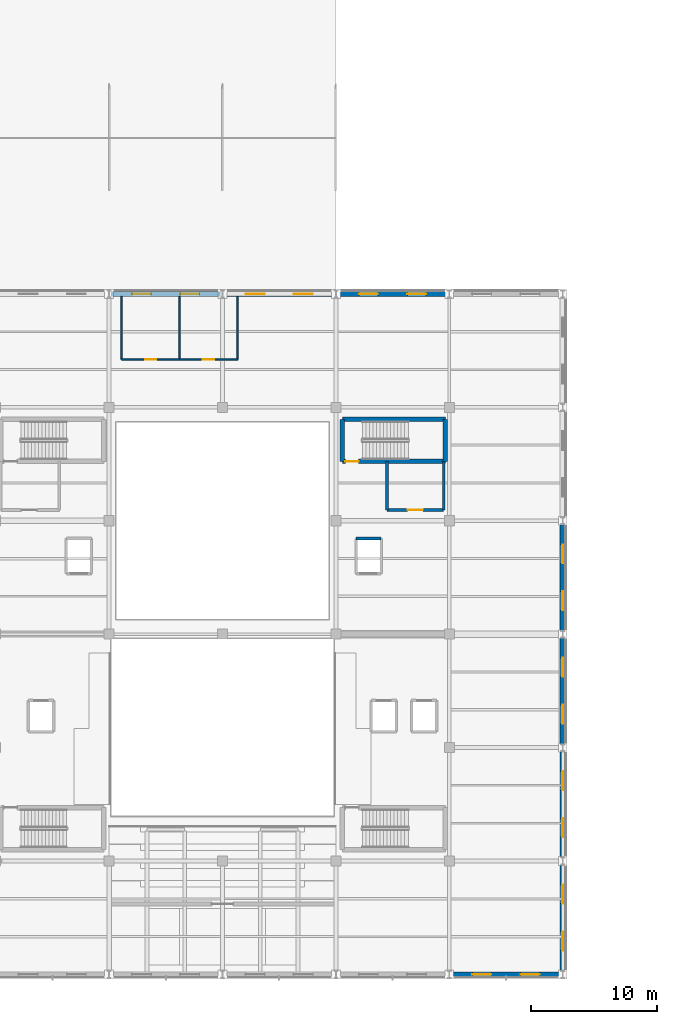
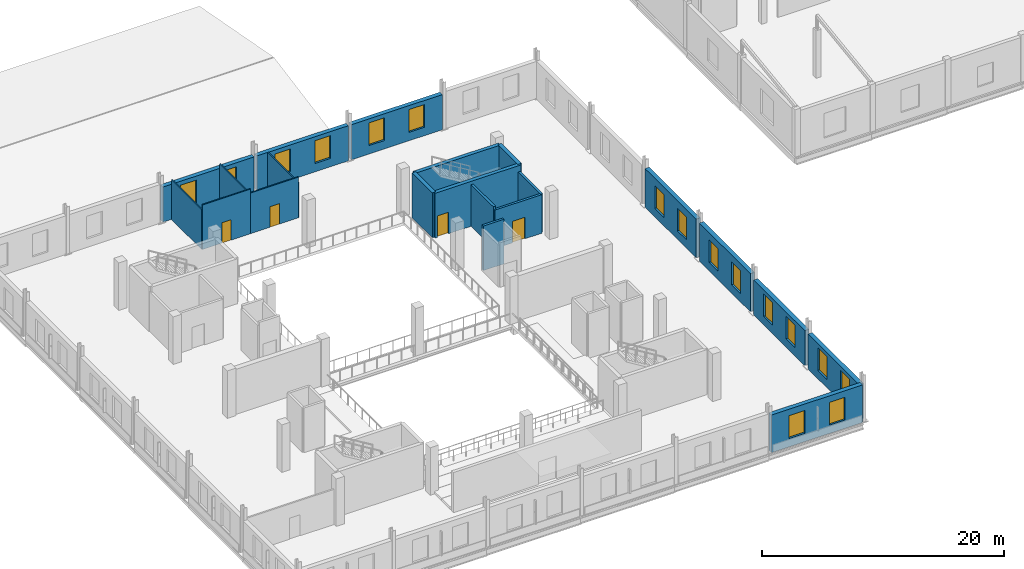
# One storey, part 20 of 35: 21 walls, 16 windows, 4 doors, 20 openings.
"""IFC4 building model written with IfcOpenShell, lengths in metres."""

from ifc_helpers import new_model, si_unit, direction, frame, frame_2d, origin, place, context, subcontext, project, spatial, rectangle, extrude, material, layer, layer_set, type_object, element, fill, save


model = new_model("IFC4")

# Units and contexts
model_context = context("Model", 3, precision=1e-05, world=origin(), true_north=direction((0.0, 1.0)))
body_context = subcontext(model_context, "Body", "Model", "MODEL_VIEW")
ifc_project = project(units=[si_unit("LENGTHUNIT", "METRE"), si_unit("AREAUNIT", "SQUARE_METRE"), si_unit("VOLUMEUNIT", "CUBIC_METRE"), si_unit("PLANEANGLEUNIT", "RADIAN"), si_unit("MASSUNIT", "GRAM", prefix="KILO")], contexts=[model_context])

# Site, building, storey
site_placement = place(None, origin())
site = spatial("IfcSite", under=ifc_project, at=site_placement, CompositionType="ELEMENT")
building_placement = place(site_placement, origin())
building = spatial("IfcBuilding", under=site, at=building_placement, Name="Sundgate Opera House", CompositionType="ELEMENT")
storey_placement = place(building_placement, frame((0.0, 0.0, 21.60009765625)))
storey = spatial("IfcBuildingStorey", under=building, at=storey_placement, Name="L04", CompositionType="ELEMENT", Elevation=21.60009765625)

# Wall, opening, door
ifc_material_1 = material(Name="Concrete C40/50", Category="concrete")
ifc_layer_1 = layer(ifc_material_1, 0.35009765625)
ifc_layer_set_1 = layer_set([ifc_layer_1], Name="Concrete C40/50")
wall_type_1 = type_object("IfcWallType", Name="WL-CORE-350", PredefinedType="SHEAR", material=ifc_layer_set_1)
wall_1_placement = place(storey_placement, frame((63.510009765625, 73.7099609375, 0.0), z_axis=(0.0, 0.0, 1.0), x_axis=(1.0, 0.0, 0.0)))
wall_1 = element("IfcWall", 1, at=wall_1_placement, inside=storey, type_object=wall_type_1, Name="L04 C4 South Shaft Wall", PredefinedType="SHEAR", context=body_context, shape_type="SweptSolid", body=[
    extrude(rectangle(XDim=8.179931640625, YDim=0.35009765625, at=frame_2d((4.08984375, 0.0))), origin(), (0.0, 0.0, 1.0), 4.539794921875),
])
opening_1_placement = place(wall_1_placement, frame((0.239990234375, 0.0, 0.0)))
opening_1 = element("IfcOpeningElement", 2, at=opening_1_placement, cuts=wall_1, Name="Opening DI01", PredefinedType="OPENING", context=body_context, shape_type="SweptSolid", body=[
    extrude(rectangle(XDim=1.050048828125, YDim=2.179931640625, at=frame_2d((0.52490234375, 1.08984375))), frame((0.0, 0.18505859375, 0.0), z_axis=(0.0, -1.0, 0.0), x_axis=(1.0, 0.0, 0.0)), (0.0, 0.0, 1.0), 0.3701171875),
])
ifc_material_2 = material(Name="Acoustic hardwood timber and steel core", Category="steel")
door_type_1 = type_object("IfcDoorType", Name="DR-STAIR-1050x2180", OperationType="NOTDEFINED", PredefinedType="DOOR", material=ifc_material_2)
door_1_placement = place(opening_1_placement, origin())
door_1 = element("IfcDoor", 3, at=door_1_placement, inside=storey, type_object=door_type_1, Name="L04 C4 Stair Door D0066", OperationType="SINGLE_SWING_RIGHT", OverallHeight=2.179931640625, OverallWidth=1.050048828125, PredefinedType="DOOR", context=body_context, shape_type="SweptSolid", body=[
    extrude(rectangle(XDim=1.050048828125, YDim=2.179931640625, at=frame_2d((0.52490234375, 1.08984375))), frame((0.0, 0.02490234375, 0.0), z_axis=(0.0, -1.0, 0.0), x_axis=(1.0, 0.0, 0.0)), (0.0, 0.0, 1.0), 0.050048828125),
])
fill(opening_1, door_1)

# Walls
wall_2_placement = place(storey_placement, frame((63.510009765625, 77.0400390625, 0.0), z_axis=(0.0, 0.0, 1.0), x_axis=(1.0, 0.0, 0.0)))
element("IfcWall", 4, at=wall_2_placement, inside=storey, type_object=wall_type_1, Name="L04 C4 North Shaft Wall", PredefinedType="SHEAR", context=body_context, shape_type="SweptSolid", body=[
    extrude(rectangle(XDim=8.179931640625, YDim=0.35009765625, at=frame_2d((4.08984375, 0.0))), origin(), (0.0, 0.0, 1.0), 4.539794921875),
])
for number, where, z_axis, x_axis, name in (
    (5, (63.510009765625, 73.7099609375, 0.0), (0.0, 0.0, 1.0), (0.0, 1.0, 0.0), "L04 C4 West Shaft Wall"),
    (6, (71.68994140625, 73.7099609375, 0.0), (0.0, 0.0, 1.0), (0.0, 1.0, 0.0), "L04 C4 East Shaft Wall"),
):
    element("IfcWall", number, at=place(storey_placement, frame(where, z_axis=z_axis, x_axis=x_axis)), inside=storey, type_object=wall_type_1, Name=name, PredefinedType="SHEAR", context=body_context, shape_type="SweptSolid", body=[
        extrude(rectangle(XDim=3.330078125, YDim=0.35009765625, at=frame_2d((1.6650390625, 0.0))), origin(), (0.0, 0.0, 1.0), 4.539794921875),
    ])

# Wall, openings, windows
ifc_material_3 = material(Name="Vitrified stoneware trencadis and brick masonry", Category="masonry")
ifc_layer_2 = layer(ifc_material_3, 0.409912109375)
ifc_layer_set_2 = layer_set([ifc_layer_2], Name="Vitrified stoneware trencadis and brick masonry")
wall_type_2 = type_object("IfcWallType", Name="WL-EXT-TRENC-410", PredefinedType="SOLIDWALL", material=ifc_layer_set_2)
wall_3_placement = place(storey_placement, frame((45.14501953125, 87.0, 0.0), z_axis=(0.0, 0.0, 1.0), x_axis=(1.0, 0.0, 0.0)))
wall_3 = element("IfcWall", 7, at=wall_3_placement, inside=storey, type_object=wall_type_2, Name="L04 Lifted Cube North Relief Wall W0098", PredefinedType="SOLIDWALL", context=body_context, shape_type="SweptSolid", body=[
    extrude(rectangle(XDim=8.7099609375, YDim=0.409912109375, at=frame_2d((4.35498046875, 0.0))), origin(), (0.0, 0.0, 1.0), 3.554931640625),
])
opening_2_placement = place(wall_3_placement, frame((1.68896484375, 0.0, 0.85009765625)))
opening_2 = element("IfcOpeningElement", 8, at=opening_2_placement, cuts=wall_3, Name="Opening W02", PredefinedType="OPENING", context=body_context, shape_type="SweptSolid", body=[
    extrude(rectangle(XDim=1.5, YDim=2.300048828125, at=frame_2d((0.75, 1.14990234375))), frame((0.0, 0.21484375, 0.0), z_axis=(0.0, -1.0, 0.0), x_axis=(1.0, 0.0, 0.0)), (0.0, 0.0, 1.0), 0.429931640625),
])
opening_3_placement = place(wall_3_placement, frame((5.52099609375, 0.0, 0.85009765625)))
opening_3 = element("IfcOpeningElement", 9, at=opening_3_placement, cuts=wall_3, Name="Opening W02", PredefinedType="OPENING", context=body_context, shape_type="SweptSolid", body=[
    extrude(rectangle(XDim=1.5, YDim=2.300048828125, at=frame_2d((0.75, 1.14990234375))), frame((0.0, 0.21484375, 0.0), z_axis=(0.0, -1.0, 0.0), x_axis=(1.0, 0.0, 0.0)), (0.0, 0.0, 1.0), 0.429931640625),
])
ifc_material_4 = material(Name="Low-iron triple glazing in patinated bronze frame", Category="glass")
window_type = type_object("IfcWindowType", Name="WN-CUBE-1500x2300", PartitioningType="SINGLE_PANEL", PredefinedType="WINDOW", material=ifc_material_4)
window_1_placement = place(opening_2_placement, origin())
window_1 = element("IfcWindow", 10, at=window_1_placement, inside=storey, type_object=window_type, Name="L04 Cube Loggia Window WN0067", OverallHeight=2.300048828125, OverallWidth=1.5, PartitioningType="SINGLE_PANEL", PredefinedType="WINDOW", context=body_context, shape_type="SweptSolid", body=[
    extrude(rectangle(XDim=1.5, YDim=2.300048828125, at=frame_2d((0.75, 1.14990234375))), frame((0.0, 0.030029296875, 0.0), z_axis=(0.0, -1.0, 0.0), x_axis=(1.0, 0.0, 0.0)), (0.0, 0.0, 1.0), 0.06005859375),
])
fill(opening_2, window_1)
window_2_placement = place(opening_3_placement, origin())
window_2 = element("IfcWindow", 11, at=window_2_placement, inside=storey, type_object=window_type, Name="L04 Cube Loggia Window WN0068", OverallHeight=2.300048828125, OverallWidth=1.5, PartitioningType="SINGLE_PANEL", PredefinedType="WINDOW", context=body_context, shape_type="SweptSolid", body=[
    extrude(rectangle(XDim=1.5, YDim=2.300048828125, at=frame_2d((0.75, 1.14990234375))), frame((0.0, 0.030029296875, 0.0), z_axis=(0.0, -1.0, 0.0), x_axis=(1.0, 0.0, 0.0)), (0.0, 0.0, 1.0), 0.06005859375),
])
fill(opening_3, window_2)

wall_4_placement = place(storey_placement, frame((54.14501953125, 87.0, 0.0), z_axis=(0.0, 0.0, 1.0), x_axis=(1.0, 0.0, 0.0)))
wall_4 = element("IfcWall", 12, at=wall_4_placement, inside=storey, type_object=wall_type_2, Name="L04 Lifted Cube North Relief Wall W0100", PredefinedType="SOLIDWALL", context=body_context, shape_type="SweptSolid", body=[
    extrude(rectangle(XDim=8.7099609375, YDim=0.409912109375, at=frame_2d((4.35498046875, 0.0))), origin(), (0.0, 0.0, 1.0), 3.554931640625),
])
opening_4_placement = place(wall_4_placement, frame((1.68896484375, 0.0, 0.85009765625)))
opening_4 = element("IfcOpeningElement", 13, at=opening_4_placement, cuts=wall_4, Name="Opening W02", PredefinedType="OPENING", context=body_context, shape_type="SweptSolid", body=[
    extrude(rectangle(XDim=1.5, YDim=2.300048828125, at=frame_2d((0.75, 1.14990234375))), frame((0.0, 0.21484375, 0.0), z_axis=(0.0, -1.0, 0.0), x_axis=(1.0, 0.0, 0.0)), (0.0, 0.0, 1.0), 0.429931640625),
])
opening_5_placement = place(wall_4_placement, frame((5.52099609375, 0.0, 0.85009765625)))
opening_5 = element("IfcOpeningElement", 14, at=opening_5_placement, cuts=wall_4, Name="Opening W02", PredefinedType="OPENING", context=body_context, shape_type="SweptSolid", body=[
    extrude(rectangle(XDim=1.5, YDim=2.300048828125, at=frame_2d((0.75, 1.14990234375))), frame((0.0, 0.21484375, 0.0), z_axis=(0.0, -1.0, 0.0), x_axis=(1.0, 0.0, 0.0)), (0.0, 0.0, 1.0), 0.429931640625),
])
window_3_placement = place(opening_4_placement, origin())
window_3 = element("IfcWindow", 15, at=window_3_placement, inside=storey, type_object=window_type, Name="L04 Cube Loggia Window WN0071", OverallHeight=2.300048828125, OverallWidth=1.5, PartitioningType="SINGLE_PANEL", PredefinedType="WINDOW", context=body_context, shape_type="SweptSolid", body=[
    extrude(rectangle(XDim=1.5, YDim=2.300048828125, at=frame_2d((0.75, 1.14990234375))), frame((0.0, 0.030029296875, 0.0), z_axis=(0.0, -1.0, 0.0), x_axis=(1.0, 0.0, 0.0)), (0.0, 0.0, 1.0), 0.06005859375),
])
fill(opening_4, window_3)
window_4_placement = place(opening_5_placement, origin())
window_4 = element("IfcWindow", 16, at=window_4_placement, inside=storey, type_object=window_type, Name="L04 Cube Loggia Window WN0072", OverallHeight=2.300048828125, OverallWidth=1.5, PartitioningType="SINGLE_PANEL", PredefinedType="WINDOW", context=body_context, shape_type="SweptSolid", body=[
    extrude(rectangle(XDim=1.5, YDim=2.300048828125, at=frame_2d((0.75, 1.14990234375))), frame((0.0, 0.030029296875, 0.0), z_axis=(0.0, -1.0, 0.0), x_axis=(1.0, 0.0, 0.0)), (0.0, 0.0, 1.0), 0.06005859375),
])
fill(opening_5, window_4)

wall_5_placement = place(storey_placement, frame((63.14501953125, 87.0, 0.0), z_axis=(0.0, 0.0, 1.0), x_axis=(1.0, 0.0, 0.0)))
wall_5 = element("IfcWall", 17, at=wall_5_placement, inside=storey, type_object=wall_type_2, Name="L04 Lifted Cube North Relief Wall W0102", PredefinedType="SOLIDWALL", context=body_context, shape_type="SweptSolid", body=[
    extrude(rectangle(XDim=8.7099609375, YDim=0.409912109375, at=frame_2d((4.35498046875, 0.0))), origin(), (0.0, 0.0, 1.0), 3.554931640625),
])
opening_6_placement = place(wall_5_placement, frame((1.68896484375, 0.0, 0.85009765625)))
opening_6 = element("IfcOpeningElement", 18, at=opening_6_placement, cuts=wall_5, Name="Opening W02", PredefinedType="OPENING", context=body_context, shape_type="SweptSolid", body=[
    extrude(rectangle(XDim=1.5, YDim=2.300048828125, at=frame_2d((0.75, 1.14990234375))), frame((0.0, 0.21484375, 0.0), z_axis=(0.0, -1.0, 0.0), x_axis=(1.0, 0.0, 0.0)), (0.0, 0.0, 1.0), 0.429931640625),
])
opening_7_placement = place(wall_5_placement, frame((5.52099609375, 0.0, 0.85009765625)))
opening_7 = element("IfcOpeningElement", 19, at=opening_7_placement, cuts=wall_5, Name="Opening W02", PredefinedType="OPENING", context=body_context, shape_type="SweptSolid", body=[
    extrude(rectangle(XDim=1.5, YDim=2.300048828125, at=frame_2d((0.75, 1.14990234375))), frame((0.0, 0.21484375, 0.0), z_axis=(0.0, -1.0, 0.0), x_axis=(1.0, 0.0, 0.0)), (0.0, 0.0, 1.0), 0.429931640625),
])
window_5_placement = place(opening_6_placement, origin())
window_5 = element("IfcWindow", 20, at=window_5_placement, inside=storey, type_object=window_type, Name="L04 Cube Loggia Window WN0075", OverallHeight=2.300048828125, OverallWidth=1.5, PartitioningType="SINGLE_PANEL", PredefinedType="WINDOW", context=body_context, shape_type="SweptSolid", body=[
    extrude(rectangle(XDim=1.5, YDim=2.300048828125, at=frame_2d((0.75, 1.14990234375))), frame((0.0, 0.030029296875, 0.0), z_axis=(0.0, -1.0, 0.0), x_axis=(1.0, 0.0, 0.0)), (0.0, 0.0, 1.0), 0.06005859375),
])
fill(opening_6, window_5)
window_6_placement = place(opening_7_placement, origin())
window_6 = element("IfcWindow", 21, at=window_6_placement, inside=storey, type_object=window_type, Name="L04 Cube Loggia Window WN0076", OverallHeight=2.300048828125, OverallWidth=1.5, PartitioningType="SINGLE_PANEL", PredefinedType="WINDOW", context=body_context, shape_type="SweptSolid", body=[
    extrude(rectangle(XDim=1.5, YDim=2.300048828125, at=frame_2d((0.75, 1.14990234375))), frame((0.0, 0.030029296875, 0.0), z_axis=(0.0, -1.0, 0.0), x_axis=(1.0, 0.0, 0.0)), (0.0, 0.0, 1.0), 0.06005859375),
])
fill(opening_7, window_6)

wall_6_placement = place(storey_placement, frame((80.85498046875, 33.0, 0.0), z_axis=(0.0, 0.0, 1.0), x_axis=(-1.0, 0.0, 0.0)))
wall_6 = element("IfcWall", 22, at=wall_6_placement, inside=storey, type_object=wall_type_2, Name="L04 Lifted Cube South Relief Wall W0103", PredefinedType="SOLIDWALL", context=body_context, shape_type="SweptSolid", body=[
    extrude(rectangle(XDim=8.7099609375, YDim=0.409912109375, at=frame_2d((4.35498046875, 0.0))), origin(), (0.0, 0.0, 1.0), 3.804931640625),
])
opening_8_placement = place(wall_6_placement, frame((1.68896484375, 0.0, 0.85009765625)))
opening_8 = element("IfcOpeningElement", 23, at=opening_8_placement, cuts=wall_6, Name="Opening W02", PredefinedType="OPENING", context=body_context, shape_type="SweptSolid", body=[
    extrude(rectangle(XDim=1.5, YDim=2.300048828125, at=frame_2d((0.75, 1.14990234375))), frame((0.0, 0.21484375, 0.0), z_axis=(0.0, -1.0, 0.0), x_axis=(1.0, 0.0, 0.0)), (0.0, 0.0, 1.0), 0.429931640625),
])
opening_9_placement = place(wall_6_placement, frame((5.52099609375, 0.0, 0.85009765625)))
opening_9 = element("IfcOpeningElement", 24, at=opening_9_placement, cuts=wall_6, Name="Opening W02", PredefinedType="OPENING", context=body_context, shape_type="SweptSolid", body=[
    extrude(rectangle(XDim=1.5, YDim=2.300048828125, at=frame_2d((0.75, 1.14990234375))), frame((0.0, 0.21484375, 0.0), z_axis=(0.0, -1.0, 0.0), x_axis=(1.0, 0.0, 0.0)), (0.0, 0.0, 1.0), 0.429931640625),
])
window_7_placement = place(opening_8_placement, origin())
window_7 = element("IfcWindow", 25, at=window_7_placement, inside=storey, type_object=window_type, Name="L04 Cube Loggia Window WN0077", OverallHeight=2.300048828125, OverallWidth=1.5, PartitioningType="SINGLE_PANEL", PredefinedType="WINDOW", context=body_context, shape_type="SweptSolid", body=[
    extrude(rectangle(XDim=1.5, YDim=2.300048828125, at=frame_2d((0.75, 1.14990234375))), frame((0.0, 0.030029296875, 0.0), z_axis=(0.0, -1.0, 0.0), x_axis=(1.0, 0.0, 0.0)), (0.0, 0.0, 1.0), 0.06005859375),
])
fill(opening_8, window_7)
window_8_placement = place(opening_9_placement, origin())
window_8 = element("IfcWindow", 26, at=window_8_placement, inside=storey, type_object=window_type, Name="L04 Cube Loggia Window WN0078", OverallHeight=2.300048828125, OverallWidth=1.5, PartitioningType="SINGLE_PANEL", PredefinedType="WINDOW", context=body_context, shape_type="SweptSolid", body=[
    extrude(rectangle(XDim=1.5, YDim=2.300048828125, at=frame_2d((0.75, 1.14990234375))), frame((0.0, 0.030029296875, 0.0), z_axis=(0.0, -1.0, 0.0), x_axis=(1.0, 0.0, 0.0)), (0.0, 0.0, 1.0), 0.06005859375),
])
fill(opening_9, window_8)

wall_7_placement = place(storey_placement, frame((81.0, 33.27001953125, 0.0), z_axis=(0.0, 0.0, 1.0), x_axis=(0.0, 1.0, 0.0)))
wall_7 = element("IfcWall", 27, at=wall_7_placement, inside=storey, type_object=wall_type_2, Name="L04 Lifted Cube East Relief Wall W0106", PredefinedType="SOLIDWALL", context=body_context, shape_type="SweptSolid", body=[
    extrude(rectangle(XDim=8.4599609375, YDim=0.409912109375, at=frame_2d((4.22998046875, 0.0))), origin(), (0.0, 0.0, 1.0), 3.554931640625),
])
opening_10_placement = place(wall_7_placement, frame((1.618896484375, 0.0, 0.85009765625)))
opening_10 = element("IfcOpeningElement", 28, at=opening_10_placement, cuts=wall_7, Name="Opening W02", PredefinedType="OPENING", context=body_context, shape_type="SweptSolid", body=[
    extrude(rectangle(XDim=1.5, YDim=2.300048828125, at=frame_2d((0.75, 1.14990234375))), frame((0.0, 0.21484375, 0.0), z_axis=(0.0, -1.0, 0.0), x_axis=(1.0, 0.0, 0.0)), (0.0, 0.0, 1.0), 0.429931640625),
])
opening_11_placement = place(wall_7_placement, frame((5.341064453125, 0.0, 0.85009765625)))
opening_11 = element("IfcOpeningElement", 29, at=opening_11_placement, cuts=wall_7, Name="Opening W02", PredefinedType="OPENING", context=body_context, shape_type="SweptSolid", body=[
    extrude(rectangle(XDim=1.5, YDim=2.300048828125, at=frame_2d((0.75, 1.14990234375))), frame((0.0, 0.21484375, 0.0), z_axis=(0.0, -1.0, 0.0), x_axis=(1.0, 0.0, 0.0)), (0.0, 0.0, 1.0), 0.429931640625),
])
window_9_placement = place(opening_10_placement, origin())
window_9 = element("IfcWindow", 30, at=window_9_placement, inside=storey, type_object=window_type, Name="L04 Cube Loggia Window WN0083", OverallHeight=2.300048828125, OverallWidth=1.5, PartitioningType="SINGLE_PANEL", PredefinedType="WINDOW", context=body_context, shape_type="SweptSolid", body=[
    extrude(rectangle(XDim=1.5, YDim=2.300048828125, at=frame_2d((0.75, 1.14990234375))), frame((0.0, 0.030029296875, 0.0), z_axis=(0.0, -1.0, 0.0), x_axis=(1.0, 0.0, 0.0)), (0.0, 0.0, 1.0), 0.06005859375),
])
fill(opening_10, window_9)
window_10_placement = place(opening_11_placement, origin())
window_10 = element("IfcWindow", 31, at=window_10_placement, inside=storey, type_object=window_type, Name="L04 Cube Loggia Window WN0084", OverallHeight=2.300048828125, OverallWidth=1.5, PartitioningType="SINGLE_PANEL", PredefinedType="WINDOW", context=body_context, shape_type="SweptSolid", body=[
    extrude(rectangle(XDim=1.5, YDim=2.300048828125, at=frame_2d((0.75, 1.14990234375))), frame((0.0, 0.030029296875, 0.0), z_axis=(0.0, -1.0, 0.0), x_axis=(1.0, 0.0, 0.0)), (0.0, 0.0, 1.0), 0.06005859375),
])
fill(opening_11, window_10)

wall_8_placement = place(storey_placement, frame((81.0, 42.27001953125, 0.0), z_axis=(0.0, 0.0, 1.0), x_axis=(0.0, 1.0, 0.0)))
wall_8 = element("IfcWall", 32, at=wall_8_placement, inside=storey, type_object=wall_type_2, Name="L04 Lifted Cube East Relief Wall W0108", PredefinedType="SOLIDWALL", context=body_context, shape_type="SweptSolid", body=[
    extrude(rectangle(XDim=8.4599609375, YDim=0.409912109375, at=frame_2d((4.22998046875, 0.0))), origin(), (0.0, 0.0, 1.0), 3.554931640625),
])
opening_12_placement = place(wall_8_placement, frame((1.618896484375, 0.0, 0.85009765625)))
opening_12 = element("IfcOpeningElement", 33, at=opening_12_placement, cuts=wall_8, Name="Opening W02", PredefinedType="OPENING", context=body_context, shape_type="SweptSolid", body=[
    extrude(rectangle(XDim=1.5, YDim=2.300048828125, at=frame_2d((0.75, 1.14990234375))), frame((0.0, 0.21484375, 0.0), z_axis=(0.0, -1.0, 0.0), x_axis=(1.0, 0.0, 0.0)), (0.0, 0.0, 1.0), 0.429931640625),
])
opening_13_placement = place(wall_8_placement, frame((5.341064453125, 0.0, 0.85009765625)))
opening_13 = element("IfcOpeningElement", 34, at=opening_13_placement, cuts=wall_8, Name="Opening W02", PredefinedType="OPENING", context=body_context, shape_type="SweptSolid", body=[
    extrude(rectangle(XDim=1.5, YDim=2.300048828125, at=frame_2d((0.75, 1.14990234375))), frame((0.0, 0.21484375, 0.0), z_axis=(0.0, -1.0, 0.0), x_axis=(1.0, 0.0, 0.0)), (0.0, 0.0, 1.0), 0.429931640625),
])
window_11_placement = place(opening_12_placement, origin())
window_11 = element("IfcWindow", 35, at=window_11_placement, inside=storey, type_object=window_type, Name="L04 Cube Loggia Window WN0087", OverallHeight=2.300048828125, OverallWidth=1.5, PartitioningType="SINGLE_PANEL", PredefinedType="WINDOW", context=body_context, shape_type="SweptSolid", body=[
    extrude(rectangle(XDim=1.5, YDim=2.300048828125, at=frame_2d((0.75, 1.14990234375))), frame((0.0, 0.030029296875, 0.0), z_axis=(0.0, -1.0, 0.0), x_axis=(1.0, 0.0, 0.0)), (0.0, 0.0, 1.0), 0.06005859375),
])
fill(opening_12, window_11)
window_12_placement = place(opening_13_placement, origin())
window_12 = element("IfcWindow", 36, at=window_12_placement, inside=storey, type_object=window_type, Name="L04 Cube Loggia Window WN0088", OverallHeight=2.300048828125, OverallWidth=1.5, PartitioningType="SINGLE_PANEL", PredefinedType="WINDOW", context=body_context, shape_type="SweptSolid", body=[
    extrude(rectangle(XDim=1.5, YDim=2.300048828125, at=frame_2d((0.75, 1.14990234375))), frame((0.0, 0.030029296875, 0.0), z_axis=(0.0, -1.0, 0.0), x_axis=(1.0, 0.0, 0.0)), (0.0, 0.0, 1.0), 0.06005859375),
])
fill(opening_13, window_12)

wall_9_placement = place(storey_placement, frame((81.0, 51.27001953125, 0.0), z_axis=(0.0, 0.0, 1.0), x_axis=(0.0, 1.0, 0.0)))
wall_9 = element("IfcWall", 37, at=wall_9_placement, inside=storey, type_object=wall_type_2, Name="L04 Lifted Cube East Relief Wall W0110", PredefinedType="SOLIDWALL", context=body_context, shape_type="SweptSolid", body=[
    extrude(rectangle(XDim=8.4599609375, YDim=0.409912109375, at=frame_2d((4.22998046875, 0.0))), origin(), (0.0, 0.0, 1.0), 3.85498046875),
])
opening_14_placement = place(wall_9_placement, frame((1.618896484375, 0.0, 0.85009765625)))
opening_14 = element("IfcOpeningElement", 38, at=opening_14_placement, cuts=wall_9, Name="Opening W02", PredefinedType="OPENING", context=body_context, shape_type="SweptSolid", body=[
    extrude(rectangle(XDim=1.5, YDim=2.300048828125, at=frame_2d((0.75, 1.14990234375))), frame((0.0, 0.21484375, 0.0), z_axis=(0.0, -1.0, 0.0), x_axis=(1.0, 0.0, 0.0)), (0.0, 0.0, 1.0), 0.429931640625),
])
opening_15_placement = place(wall_9_placement, frame((5.341064453125, 0.0, 0.85009765625)))
opening_15 = element("IfcOpeningElement", 39, at=opening_15_placement, cuts=wall_9, Name="Opening W02", PredefinedType="OPENING", context=body_context, shape_type="SweptSolid", body=[
    extrude(rectangle(XDim=1.5, YDim=2.300048828125, at=frame_2d((0.75, 1.14990234375))), frame((0.0, 0.21484375, 0.0), z_axis=(0.0, -1.0, 0.0), x_axis=(1.0, 0.0, 0.0)), (0.0, 0.0, 1.0), 0.429931640625),
])
window_13_placement = place(opening_14_placement, origin())
window_13 = element("IfcWindow", 40, at=window_13_placement, inside=storey, type_object=window_type, Name="L04 Cube Loggia Window WN0091", OverallHeight=2.300048828125, OverallWidth=1.5, PartitioningType="SINGLE_PANEL", PredefinedType="WINDOW", context=body_context, shape_type="SweptSolid", body=[
    extrude(rectangle(XDim=1.5, YDim=2.300048828125, at=frame_2d((0.75, 1.14990234375))), frame((0.0, 0.030029296875, 0.0), z_axis=(0.0, -1.0, 0.0), x_axis=(1.0, 0.0, 0.0)), (0.0, 0.0, 1.0), 0.06005859375),
])
fill(opening_14, window_13)
window_14_placement = place(opening_15_placement, origin())
window_14 = element("IfcWindow", 41, at=window_14_placement, inside=storey, type_object=window_type, Name="L04 Cube Loggia Window WN0092", OverallHeight=2.300048828125, OverallWidth=1.5, PartitioningType="SINGLE_PANEL", PredefinedType="WINDOW", context=body_context, shape_type="SweptSolid", body=[
    extrude(rectangle(XDim=1.5, YDim=2.300048828125, at=frame_2d((0.75, 1.14990234375))), frame((0.0, 0.030029296875, 0.0), z_axis=(0.0, -1.0, 0.0), x_axis=(1.0, 0.0, 0.0)), (0.0, 0.0, 1.0), 0.06005859375),
])
fill(opening_15, window_14)

wall_10_placement = place(storey_placement, frame((81.0, 60.27001953125, 0.0), z_axis=(0.0, 0.0, 1.0), x_axis=(0.0, 1.0, 0.0)))
wall_10 = element("IfcWall", 42, at=wall_10_placement, inside=storey, type_object=wall_type_2, Name="L04 Lifted Cube East Relief Wall W0112", PredefinedType="SOLIDWALL", context=body_context, shape_type="SweptSolid", body=[
    extrude(rectangle(XDim=8.4599609375, YDim=0.409912109375, at=frame_2d((4.22998046875, 0.0))), origin(), (0.0, 0.0, 1.0), 3.90478515625),
])
opening_16_placement = place(wall_10_placement, frame((1.618896484375, 0.0, 0.85009765625)))
opening_16 = element("IfcOpeningElement", 43, at=opening_16_placement, cuts=wall_10, Name="Opening W02", PredefinedType="OPENING", context=body_context, shape_type="SweptSolid", body=[
    extrude(rectangle(XDim=1.5, YDim=2.300048828125, at=frame_2d((0.75, 1.14990234375))), frame((0.0, 0.21484375, 0.0), z_axis=(0.0, -1.0, 0.0), x_axis=(1.0, 0.0, 0.0)), (0.0, 0.0, 1.0), 0.429931640625),
])
opening_17_placement = place(wall_10_placement, frame((5.341064453125, 0.0, 0.85009765625)))
opening_17 = element("IfcOpeningElement", 44, at=opening_17_placement, cuts=wall_10, Name="Opening W02", PredefinedType="OPENING", context=body_context, shape_type="SweptSolid", body=[
    extrude(rectangle(XDim=1.5, YDim=2.300048828125, at=frame_2d((0.75, 1.14990234375))), frame((0.0, 0.21484375, 0.0), z_axis=(0.0, -1.0, 0.0), x_axis=(1.0, 0.0, 0.0)), (0.0, 0.0, 1.0), 0.429931640625),
])
window_15_placement = place(opening_16_placement, origin())
window_15 = element("IfcWindow", 45, at=window_15_placement, inside=storey, type_object=window_type, Name="L04 Cube Loggia Window WN0095", OverallHeight=2.300048828125, OverallWidth=1.5, PartitioningType="SINGLE_PANEL", PredefinedType="WINDOW", context=body_context, shape_type="SweptSolid", body=[
    extrude(rectangle(XDim=1.5, YDim=2.300048828125, at=frame_2d((0.75, 1.14990234375))), frame((0.0, 0.030029296875, 0.0), z_axis=(0.0, -1.0, 0.0), x_axis=(1.0, 0.0, 0.0)), (0.0, 0.0, 1.0), 0.06005859375),
])
fill(opening_16, window_15)
window_16_placement = place(opening_17_placement, origin())
window_16 = element("IfcWindow", 46, at=window_16_placement, inside=storey, type_object=window_type, Name="L04 Cube Loggia Window WN0096", OverallHeight=2.300048828125, OverallWidth=1.5, PartitioningType="SINGLE_PANEL", PredefinedType="WINDOW", context=body_context, shape_type="SweptSolid", body=[
    extrude(rectangle(XDim=1.5, YDim=2.300048828125, at=frame_2d((0.75, 1.14990234375))), frame((0.0, 0.030029296875, 0.0), z_axis=(0.0, -1.0, 0.0), x_axis=(1.0, 0.0, 0.0)), (0.0, 0.0, 1.0), 0.06005859375),
])
fill(opening_17, window_16)

# Wall, opening, door
ifc_material_5 = material(Name="Fire-rated gypsum and mineral-wool shaft partition", Category="gypsum")
ifc_layer_3 = layer(ifc_material_5, 0.219970703125)
ifc_layer_set_3 = layer_set([ifc_layer_3], Name="Fire-rated gypsum and mineral-wool shaft partition")
wall_type_3 = type_object("IfcWallType", Name="WL-INT-FIRE-220", PredefinedType="PARTITIONING", material=ifc_layer_set_3)
wall_11_placement = place(storey_placement, frame((67.050048828125, 69.85009765625, 0.0), z_axis=(0.0, 0.0, 1.0), x_axis=(1.0, 0.0, 0.0)))
wall_11 = element("IfcWall", 47, at=wall_11_placement, inside=storey, type_object=wall_type_3, Name="L04 C4 Firefighting Lobby South Wall", PredefinedType="PARTITIONING", context=body_context, shape_type="SweptSolid", body=[
    extrude(rectangle(XDim=4.5, YDim=0.219970703125, at=frame_2d((2.25, 0.0))), origin(), (0.0, 0.0, 1.0), 3.90478515625),
])
opening_18_placement = place(wall_11_placement, frame((1.64990234375, 0.0, 0.0)))
opening_18 = element("IfcOpeningElement", 48, at=opening_18_placement, cuts=wall_11, Name="Opening DI02", PredefinedType="OPENING", context=body_context, shape_type="SweptSolid", body=[
    extrude(rectangle(XDim=1.199951171875, YDim=2.179931640625, at=frame_2d((0.60009765625, 1.08984375))), frame((0.0, 0.119873046875, 0.0), z_axis=(0.0, -1.0, 0.0), x_axis=(1.0, 0.0, 0.0)), (0.0, 0.0, 1.0), 0.239990234375),
])
ifc_material_6 = material(Name="Acoustic hardwood timber and steel core", Category="steel")
door_type_2 = type_object("IfcDoorType", Name="DR-FFLOB-1200x2180", OperationType="NOTDEFINED", PredefinedType="DOOR", material=ifc_material_6)
door_2_placement = place(opening_18_placement, origin())
door_2 = element("IfcDoor", 49, at=door_2_placement, inside=storey, type_object=door_type_2, Name="L04 C4 Firefighting Lobby Door D0067", OperationType="SINGLE_SWING_LEFT", OverallHeight=2.179931640625, OverallWidth=1.199951171875, PredefinedType="DOOR", context=body_context, shape_type="SweptSolid", body=[
    extrude(rectangle(XDim=1.199951171875, YDim=2.179931640625, at=frame_2d((0.60009765625, 1.08984375))), frame((0.0, 0.02490234375, 0.0), z_axis=(0.0, -1.0, 0.0), x_axis=(1.0, 0.0, 0.0)), (0.0, 0.0, 1.0), 0.050048828125),
])
fill(opening_18, door_2)

# Walls
wall_12_placement = place(storey_placement, frame((67.050048828125, 69.85009765625, 0.0), z_axis=(0.0, 0.0, 1.0), x_axis=(0.0, 1.0, 0.0)))
element("IfcWall", 50, at=wall_12_placement, inside=storey, type_object=wall_type_3, Name="L04 C4 Firefighting Lobby West Wall", PredefinedType="PARTITIONING", context=body_context, shape_type="SweptSolid", body=[
    extrude(rectangle(XDim=3.85986328125, YDim=0.219970703125, at=frame_2d((1.929931640625, 0.0))), origin(), (0.0, 0.0, 1.0), 4.204833984375),
])
wall_13_placement = place(storey_placement, frame((71.550048828125, 69.85009765625, 0.0), z_axis=(0.0, 0.0, 1.0), x_axis=(0.0, 1.0, 0.0)))
element("IfcWall", 51, at=wall_13_placement, inside=storey, type_object=wall_type_3, Name="L04 C4 Firefighting Lobby East Wall", PredefinedType="PARTITIONING", context=body_context, shape_type="SweptSolid", body=[
    extrude(rectangle(XDim=3.85986328125, YDim=0.219970703125, at=frame_2d((1.929931640625, 0.0))), origin(), (0.0, 0.0, 1.0), 3.90478515625),
])
wall_14_placement = place(storey_placement, frame((64.610107421875, 67.590087890625, 0.0), z_axis=(0.0, 0.0, 1.0), x_axis=(1.0, 0.0, 0.0)))
element("IfcWall", 52, at=wall_14_placement, inside=storey, type_object=wall_type_3, Name="L04 FF2 North Shaft Wall", PredefinedType="PARTITIONING", context=body_context, shape_type="SweptSolid", body=[
    extrude(rectangle(XDim=1.97998046875, YDim=0.219970703125, at=frame_2d((0.989990234375, 0.0))), origin(), (0.0, 0.0, 1.0), 4.5048828125),
])

# Wall, opening, door
ifc_material_7 = material(Name="Moisture-resistant sanitary partition", Category="gypsum")
ifc_layer_4 = layer(ifc_material_7, 0.114990234375)
ifc_layer_set_4 = layer_set([ifc_layer_4], Name="Moisture-resistant sanitary partition")
wall_type_4 = type_object("IfcWallType", Name="WL-INT-WET-115", PredefinedType="PARTITIONING", material=ifc_layer_set_4)
wall_15_placement = place(storey_placement, frame((46.0, 81.800048828125, 0.0), z_axis=(0.0, 0.0, 1.0), x_axis=(1.0, 0.0, 0.0)))
wall_15 = element("IfcWall", 53, at=wall_15_placement, inside=storey, type_object=wall_type_4, Name="L04 Interior Partition W1080", PredefinedType="PARTITIONING", context=body_context, shape_type="SweptSolid", body=[
    extrude(rectangle(XDim=4.60009765625, YDim=0.114990234375, at=frame_2d((2.300048828125, 0.0))), origin(), (0.0, 0.0, 1.0), 4.5048828125),
])
opening_19_placement = place(wall_15_placement, frame((1.860107421875, 0.0, 0.0)))
opening_19 = element("IfcOpeningElement", 54, at=opening_19_placement, cuts=wall_15, Name="Opening DI13", PredefinedType="OPENING", context=body_context, shape_type="SweptSolid", body=[
    extrude(rectangle(XDim=0.8798828125, YDim=2.06005859375, at=frame_2d((0.43994140625, 1.030029296875))), frame((0.0, 0.0673828125, 0.0), z_axis=(0.0, -1.0, 0.0), x_axis=(1.0, 0.0, 0.0)), (0.0, 0.0, 1.0), 0.135009765625),
])
ifc_material_8 = material(Name="Acoustic hardwood timber and steel core", Category="steel")
door_type_3 = type_object("IfcDoorType", Name="DR-WC-880x2060", OperationType="NOTDEFINED", PredefinedType="DOOR", material=ifc_material_8)
door_3_placement = place(opening_19_placement, origin())
door_3 = element("IfcDoor", 55, at=door_3_placement, inside=storey, type_object=door_type_3, Name="L04 Interior Door D0235", OperationType="SINGLE_SWING_LEFT", OverallHeight=2.06005859375, OverallWidth=0.8798828125, PredefinedType="DOOR", context=body_context, shape_type="SweptSolid", body=[
    extrude(rectangle(XDim=0.8798828125, YDim=2.06005859375, at=frame_2d((0.43994140625, 1.030029296875))), frame((0.0, 0.02490234375, 0.0), z_axis=(0.0, -1.0, 0.0), x_axis=(1.0, 0.0, 0.0)), (0.0, 0.0, 1.0), 0.050048828125),
])
fill(opening_19, door_3)

wall_16_placement = place(storey_placement, frame((50.60009765625, 81.800048828125, 0.0), z_axis=(0.0, 0.0, 1.0), x_axis=(1.0, 0.0, 0.0)))
wall_16 = element("IfcWall", 56, at=wall_16_placement, inside=storey, type_object=wall_type_4, Name="L04 Interior Partition W1081", PredefinedType="PARTITIONING", context=body_context, shape_type="SweptSolid", body=[
    extrude(rectangle(XDim=4.599853515625, YDim=0.114990234375, at=frame_2d((2.2998046875, 0.0))), origin(), (0.0, 0.0, 1.0), 4.114990234375),
])
opening_20_placement = place(wall_16_placement, frame((1.840087890625, 0.0, 0.0)))
opening_20 = element("IfcOpeningElement", 57, at=opening_20_placement, cuts=wall_16, Name="Opening DI12", PredefinedType="OPENING", context=body_context, shape_type="SweptSolid", body=[
    extrude(rectangle(XDim=0.919921875, YDim=2.080078125, at=frame_2d((0.4599609375, 1.0400390625))), frame((0.0, 0.0673828125, 0.0), z_axis=(0.0, -1.0, 0.0), x_axis=(1.0, 0.0, 0.0)), (0.0, 0.0, 1.0), 0.135009765625),
])
ifc_material_9 = material(Name="Acoustic hardwood timber and steel core", Category="steel")
door_type_4 = type_object("IfcDoorType", Name="DR-WC-920x2080", OperationType="NOTDEFINED", PredefinedType="DOOR", material=ifc_material_9)
door_4_placement = place(opening_20_placement, origin())
door_4 = element("IfcDoor", 58, at=door_4_placement, inside=storey, type_object=door_type_4, Name="L04 Interior Door D0236", OperationType="SINGLE_SWING_RIGHT", OverallHeight=2.080078125, OverallWidth=0.919921875, PredefinedType="DOOR", context=body_context, shape_type="SweptSolid", body=[
    extrude(rectangle(XDim=0.919921875, YDim=2.080078125, at=frame_2d((0.4599609375, 1.0400390625))), frame((0.0, 0.02490234375, 0.0), z_axis=(0.0, -1.0, 0.0), x_axis=(1.0, 0.0, 0.0)), (0.0, 0.0, 1.0), 0.050048828125),
])
fill(opening_20, door_4)

# Walls
for number, where, z_axis, x_axis, name in (
    (59, (46.0, 81.800048828125, 0.0), (0.0, 0.0, 1.0), (0.0, 1.0, 0.0), "L04 Interior Partition W1082"),
    (60, (50.60009765625, 81.800048828125, 0.0), (0.0, 0.0, 1.0), (0.0, 1.0, 0.0), "L04 Interior Partition W1083"),
):
    element("IfcWall", number, at=place(storey_placement, frame(where, z_axis=z_axis, x_axis=x_axis)), inside=storey, type_object=wall_type_4, Name=name, PredefinedType="PARTITIONING", context=body_context, shape_type="SweptSolid", body=[
        extrude(rectangle(XDim=5.0, YDim=0.114990234375, at=frame_2d((2.5, 0.0))), origin(), (0.0, 0.0, 1.0), 4.0048828125),
    ])
wall_17_placement = place(storey_placement, frame((55.199951171875, 81.800048828125, 0.0), z_axis=(0.0, 0.0, 1.0), x_axis=(0.0, 1.0, 0.0)))
element("IfcWall", 61, at=wall_17_placement, inside=storey, type_object=wall_type_4, Name="L04 Interior Partition W1084", PredefinedType="PARTITIONING", context=body_context, shape_type="SweptSolid", body=[
    extrude(rectangle(XDim=5.0, YDim=0.114990234375, at=frame_2d((2.5, 0.0))), origin(), (0.0, 0.0, 1.0), 3.554931640625),
])

save(model, "model.ifc")
